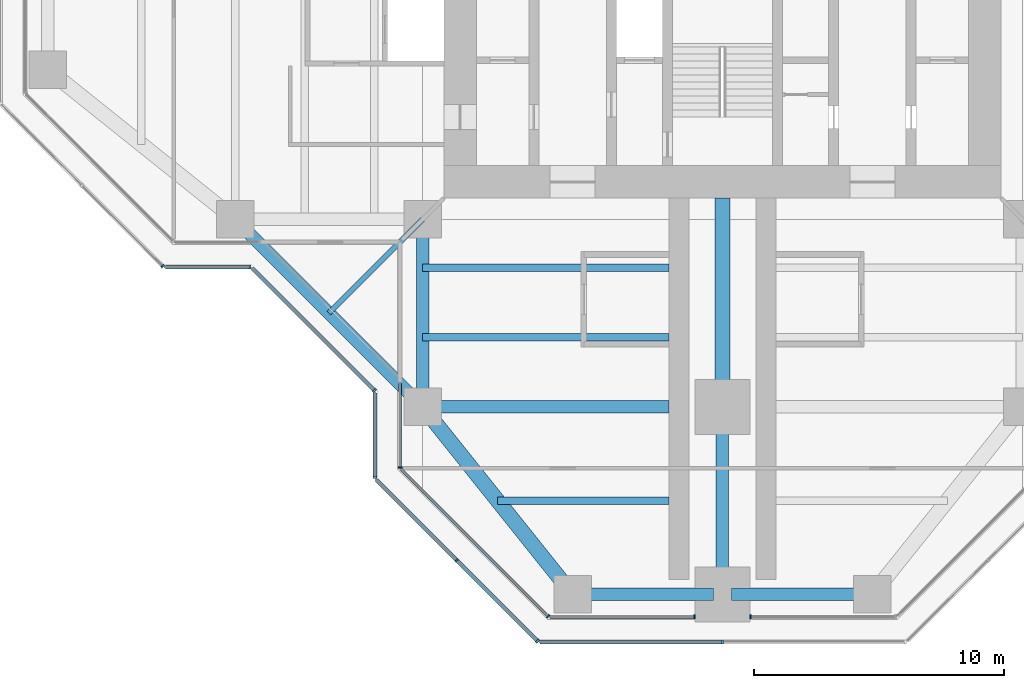
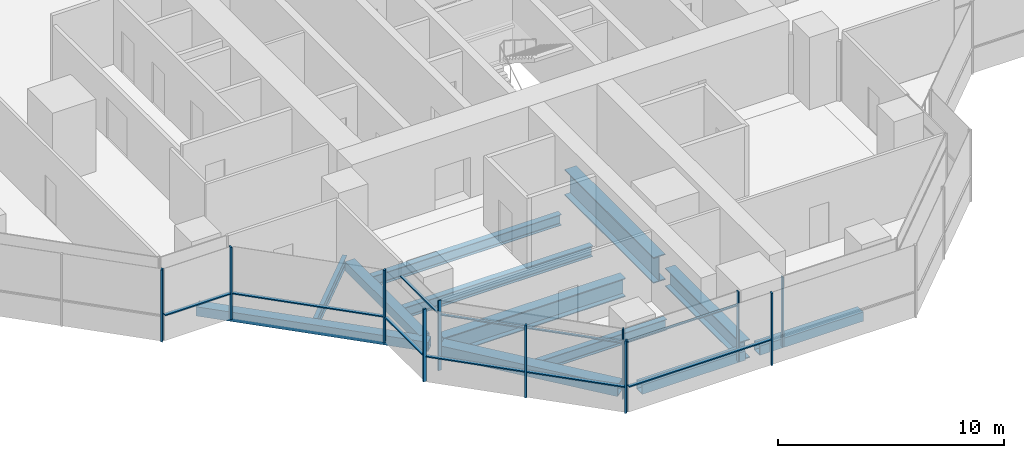
# One storey, part 2 of 17: 20 members, 12 beams, 10 elements without a shape of their own.
"""IFC4 building model written with IfcOpenShell, lengths in metres."""

from ifc_helpers import new_model, si_unit, direction, frame, origin, origin_2d, place, context, subcontext, project, spatial, rectangle, hollow_rectangle, i_section, extrude, material, material_profile, profile_set, type_object, element, aggregate, save


model = new_model("IFC4")

# Units and contexts
model_context = context("Model", 3, precision=1e-05, world=origin(), true_north=direction((0.0, 1.0)))
body_context = subcontext(model_context, "Body", "Model", "MODEL_VIEW")
ifc_project = project(units=[si_unit("LENGTHUNIT", "METRE"), si_unit("AREAUNIT", "SQUARE_METRE"), si_unit("VOLUMEUNIT", "CUBIC_METRE"), si_unit("PLANEANGLEUNIT", "RADIAN"), si_unit("MASSUNIT", "GRAM", prefix="KILO")], contexts=[model_context])

# Site, building, storey
site_placement = place(None, origin())
site = spatial("IfcSite", under=ifc_project, at=site_placement, CompositionType="ELEMENT")
building_placement = place(site_placement, origin())
building = spatial("IfcBuilding", under=site, at=building_placement, Name="Mizan Broadcast Tower", CompositionType="ELEMENT")
storey_placement = place(building_placement, frame((0.0, 0.0, 220.5)))
storey = spatial("IfcBuildingStorey", under=building, at=storey_placement, Name="L51", CompositionType="ELEMENT", Elevation=220.5)

# Beams
ifc_material_1 = material(Name="Steel S355", Category="steel")
ifc_material_profile_1 = material_profile(ifc_material_1, hollow_rectangle(XDim=0.5, YDim=0.5, WallThickness=0.030029296875, at=origin_2d()), Name="BOX 500x500x30")
ifc_profile_set_1 = profile_set([ifc_material_profile_1], Name="Steel S355")
beam_type_1 = type_object("IfcBeamType", Name="EDGE BEAM BOX 500x500x30", PredefinedType="SPANDREL", material=ifc_profile_set_1)
beam_1_placement = place(storey_placement, frame((-12.0, -12.449951171875, -0.3798828125), z_axis=(0.0, -1.0, 0.0), x_axis=(1.0, 0.0, 0.0)))
element("IfcBeam", 1, at=beam_1_placement, inside=storey, type_object=beam_type_1, Name="Edge beam BOX 500x500x30 L51 south arm", PredefinedType="SPANDREL", context=body_context, shape_type="SweptSolid", body=[
    extrude(hollow_rectangle(XDim=0.5, YDim=0.5, WallThickness=0.030029296875, at=origin_2d()), origin(), (0.0, 0.0, 1.0), 6.60009765625),
])
for number, where, z_axis, x_axis, name in (
    (2, (-5.639892578125, -27.0, -0.3798828125), (1.0, 0.0, 0.0), (0.0, 1.0, 0.0), "Edge beam BOX 500x500x30 L51 south arm"),
    (3, (5.639892578125, -27.0, -0.3798828125), (-1.0, 0.0, 0.0), (0.0, -1.0, 0.0), "Edge beam BOX 500x500x30 L51 south arm"),
):
    element("IfcBeam", number, at=place(storey_placement, frame(where, z_axis=z_axis, x_axis=x_axis)), inside=storey, type_object=beam_type_1, Name=name, PredefinedType="SPANDREL", context=body_context, shape_type="SweptSolid", body=[
        extrude(hollow_rectangle(XDim=0.5, YDim=0.5, WallThickness=0.030029296875, at=origin_2d()), origin(), (0.0, 0.0, 1.0), 5.27978515625),
    ])
beam_2_placement = place(storey_placement, frame((-19.5, -12.0, -0.3798828125), z_axis=(0.707106781187, -0.707106781187, 0.0), x_axis=(0.707106781187, 0.707106781187, 0.0)))
element("IfcBeam", 4, at=beam_2_placement, inside=storey, type_object=beam_type_1, Name="Winter garden edge beam L51 W", PredefinedType="SPANDREL", context=body_context, shape_type="SweptSolid", body=[
    extrude(hollow_rectangle(XDim=0.5, YDim=0.5, WallThickness=0.030029296875, at=origin_2d()), origin(), (0.0, 0.0, 1.0), 10.606689453125),
])
ifc_material_2 = material(Name="Steel S355", Category="steel")
ifc_material_profile_2 = material_profile(ifc_material_2, hollow_rectangle(XDim=0.60009765625, YDim=0.60009765625, WallThickness=0.030029296875, at=origin_2d()), Name="BOX 600x600x30")
ifc_profile_set_2 = profile_set([ifc_material_profile_2], Name="Steel S355")
beam_type_2 = type_object("IfcBeamType", Name="EDGE BEAM BOX 600x600x30", PredefinedType="SPANDREL", material=ifc_profile_set_2)
beam_3_placement = place(storey_placement, frame((-11.639892578125, -19.949951171875, -0.429931640625), z_axis=(0.624673911726, -0.780885717636, 0.0), x_axis=(0.780885717636, 0.624673911726, 0.0)))
element("IfcBeam", 5, at=beam_3_placement, inside=storey, type_object=beam_type_2, Name="Edge beam BOX 600x600x30 L51 south arm", PredefinedType="SPANDREL", context=body_context, shape_type="SweptSolid", body=[
    extrude(hollow_rectangle(XDim=0.60009765625, YDim=0.60009765625, WallThickness=0.030029296875, at=origin_2d()), origin(), (0.0, 0.0, 1.0), 8.4521484375),
])
ifc_material_3 = material(Name="Steel S460", Category="steel")
ifc_material_profile_3 = material_profile(ifc_material_3, i_section(OverallWidth=0.5, OverallDepth=1.0, WebThickness=0.02490234375, FlangeThickness=0.050048828125, at=origin_2d()), Name="WPG 1000x500")
ifc_profile_set_3 = profile_set([ifc_material_profile_3], Name="Steel S460")
beam_type_3 = type_object("IfcBeamType", Name="GIRDER WPG 1000x500", PredefinedType="BEAM", material=ifc_profile_set_3)
beam_4_placement = place(storey_placement, frame((0.0, -19.949951171875, -0.6298828125), z_axis=(0.0, -1.0, 0.0), x_axis=(1.0, 0.0, 0.0)))
element("IfcBeam", 6, at=beam_4_placement, inside=storey, type_object=beam_type_3, Name="Girder WPG 1000x500 L51 south arm", PredefinedType="BEAM", context=body_context, shape_type="SweptSolid", body=[
    extrude(i_section(OverallWidth=0.5, OverallDepth=1.0, WebThickness=0.02490234375, FlangeThickness=0.050048828125, at=origin_2d()), origin(), (0.0, 0.0, 1.0), 6.60009765625),
])
beam_5_placement = place(storey_placement, frame((-11.408935546875, -19.5, -0.6298828125), z_axis=(1.0, 0.0, 0.0), x_axis=(0.0, 1.0, 0.0)))
element("IfcBeam", 7, at=beam_5_placement, inside=storey, type_object=beam_type_3, Name="Girder WPG 1000x500 L51 south arm", PredefinedType="BEAM", context=body_context, shape_type="SweptSolid", body=[
    extrude(i_section(OverallWidth=0.5, OverallDepth=1.0, WebThickness=0.02490234375, FlangeThickness=0.050048828125, at=origin_2d()), origin(), (0.0, 0.0, 1.0), 9.259033203125),
])
ifc_material_4 = material(Name="Steel S460", Category="steel")
ifc_material_profile_4 = material_profile(ifc_material_4, i_section(OverallWidth=0.60009765625, OverallDepth=1.39990234375, WebThickness=0.02490234375, FlangeThickness=0.06005859375, at=origin_2d()), Name="WPG 1400x600")
ifc_profile_set_4 = profile_set([ifc_material_profile_4], Name="Steel S460")
beam_type_4 = type_object("IfcBeamType", Name="GIRDER WPG 1400x600", PredefinedType="BEAM", material=ifc_profile_set_4)
beam_6_placement = place(storey_placement, frame((0.0, -11.14990234375, -0.830078125), z_axis=(0.0, -1.0, 0.0), x_axis=(1.0, 0.0, 0.0)))
element("IfcBeam", 8, at=beam_6_placement, inside=storey, type_object=beam_type_4, Name="Girder WPG 1400x600 L51 south arm", PredefinedType="BEAM", context=body_context, shape_type="SweptSolid", body=[
    extrude(i_section(OverallWidth=0.60009765625, OverallDepth=1.39990234375, WebThickness=0.02490234375, FlangeThickness=0.06005859375, at=origin_2d()), origin(), (0.0, 0.0, 1.0), 7.84912109375),
])

# Curtain wall, member
ifc_material_5 = material(Name="Aluminium framed glazing", Category="aluminium")
curtain_wall_type_1 = type_object("IfcCurtainWallType", Name="INNER SKIN HIGH ZONE", PredefinedType="USERDEFINED", material=ifc_material_5)
curtain_wall_1_placement = place(storey_placement, origin())
curtain_wall_1 = element("IfcCurtainWall", 9, at=curtain_wall_1_placement, inside=storey, type_object=curtain_wall_type_1, Name="Inner skin high zone L51 S side", ObjectType="INNER SKIN HIGH ZONE", PredefinedType="USERDEFINED")
ifc_material_6 = material(Name="Aluminium, pale anodised", Category="aluminium")
ifc_material_profile_5 = material_profile(ifc_material_6, rectangle(XDim=0.159912109375, YDim=0.06005859375, at=origin_2d()), Name="MULLION 160x60")
ifc_profile_set_5 = profile_set([ifc_material_profile_5], Name="Aluminium, pale anodised")
member_type_1 = type_object("IfcMemberType", Name="INNER SKIN MULLION 60x160", PredefinedType="MULLION", material=ifc_profile_set_5)
member_1_placement = place(storey_placement, frame((-12.89990234375, -21.928466796875, 0.0), z_axis=(0.0, 0.0, 1.0), x_axis=(1.0, 0.0, 0.0)))
member_1 = element("IfcMember", 10, at=member_1_placement, type_object=member_type_1, Name="Inner skin high zone L51 S side mullion 2", PredefinedType="MULLION", context=body_context, shape_type="SweptSolid", body=[
    extrude(rectangle(XDim=0.159912109375, YDim=0.06005859375, at=origin_2d()), origin(), (0.0, 0.0, 1.0), 3.77001953125),
])

curtain_wall_2_placement = place(storey_placement, origin())
curtain_wall_2 = element("IfcCurtainWall", 11, at=curtain_wall_2_placement, inside=storey, type_object=curtain_wall_type_1, Name="Inner skin high zone L51 S chamfer", ObjectType="INNER SKIN HIGH ZONE", PredefinedType="USERDEFINED")
member_2_placement = place(storey_placement, frame((-6.979736328125, -27.87890625, 0.0), z_axis=(0.0, 0.0, 1.0), x_axis=(0.707106781187, 0.707106781187, 0.0)))
member_2 = element("IfcMember", 12, at=member_2_placement, type_object=member_type_1, Name="Inner skin high zone L51 S chamfer mullion 2", PredefinedType="MULLION", context=body_context, shape_type="SweptSolid", body=[
    extrude(rectangle(XDim=0.159912109375, YDim=0.06005859375, at=origin_2d()), origin(), (0.0, 0.0, 1.0), 3.77001953125),
])

curtain_wall_3_placement = place(storey_placement, origin())
curtain_wall_3 = element("IfcCurtainWall", 13, at=curtain_wall_3_placement, inside=storey, type_object=curtain_wall_type_1, Name="Inner skin high zone L51 S end", ObjectType="INNER SKIN HIGH ZONE", PredefinedType="USERDEFINED")
member_3_placement = place(storey_placement, frame((-1.1298828125, -27.89990234375, 0.0), z_axis=(0.0, 0.0, 1.0), x_axis=(0.0, 1.0, 0.0)))
member_3 = element("IfcMember", 14, at=member_3_placement, type_object=member_type_1, Name="Inner skin high zone L51 S end mullion 2", PredefinedType="MULLION", context=body_context, shape_type="SweptSolid", body=[
    extrude(rectangle(XDim=0.159912109375, YDim=0.06005859375, at=origin_2d()), origin(), (0.0, 0.0, 1.0), 3.77001953125),
])

curtain_wall_4_placement = place(storey_placement, origin())
curtain_wall_4 = element("IfcCurtainWall", 15, at=curtain_wall_4_placement, inside=storey, type_object=curtain_wall_type_1, Name="Inner skin high zone L51 S end", ObjectType="INNER SKIN HIGH ZONE", PredefinedType="USERDEFINED")
member_4_placement = place(storey_placement, frame((1.1298828125, -27.89990234375, 0.0), z_axis=(0.0, 0.0, 1.0), x_axis=(0.0, 1.0, 0.0)))
member_4 = element("IfcMember", 16, at=member_4_placement, type_object=member_type_1, Name="Inner skin high zone L51 S end mullion 1", PredefinedType="MULLION", context=body_context, shape_type="SweptSolid", body=[
    extrude(rectangle(XDim=0.159912109375, YDim=0.06005859375, at=origin_2d()), origin(), (0.0, 0.0, 1.0), 3.77001953125),
])
aggregate(curtain_wall_4, [member_4])

# Member
ifc_material_7 = material(Name="Aluminium, pale anodised", Category="aluminium")
ifc_material_profile_6 = material_profile(ifc_material_7, rectangle(XDim=0.1201171875, YDim=0.06005859375, at=origin_2d()), Name="TRANSOM 120x60")
ifc_profile_set_6 = profile_set([ifc_material_profile_6], Name="Aluminium, pale anodised")
member_type_2 = type_object("IfcMemberType", Name="INNER SKIN TRANSOM 60x120", PredefinedType="USERDEFINED", material=ifc_profile_set_6)
member_5_placement = place(storey_placement, frame((-12.89990234375, -18.56005859375, 3.030029296875), z_axis=(0.0, -1.0, 0.0), x_axis=(1.0, 0.0, 0.0)))
member_5 = element("IfcMember", 17, at=member_5_placement, type_object=member_type_2, Name="Inner skin high zone L51 S side transom 1.1", ObjectType="TRANSOM", PredefinedType="USERDEFINED", context=body_context, shape_type="SweptSolid", body=[
    extrude(rectangle(XDim=0.1201171875, YDim=0.06005859375, at=origin_2d()), origin(), (0.0, 0.0, 1.0), 3.338623046875),
])

aggregate(curtain_wall_1, [member_1, member_5])

member_6_placement = place(storey_placement, frame((-12.857666015625, -22.0009765625, 3.030029296875), z_axis=(0.707106781187, -0.707106781187, 0.0), x_axis=(0.707106781187, 0.707106781187, 0.0)))
member_6 = element("IfcMember", 18, at=member_6_placement, type_object=member_type_2, Name="Inner skin high zone L51 S chamfer transom 1.1", ObjectType="TRANSOM", PredefinedType="USERDEFINED", context=body_context, shape_type="SweptSolid", body=[
    extrude(rectangle(XDim=0.1201171875, YDim=0.06005859375, at=origin_2d()), origin(), (0.0, 0.0, 1.0), 8.28271484375),
])

aggregate(curtain_wall_2, [member_2, member_6])

member_7_placement = place(storey_placement, frame((-6.898681640625, -27.89990234375, 3.030029296875), z_axis=(1.0, 0.0, 0.0), x_axis=(0.0, 1.0, 0.0)))
member_7 = element("IfcMember", 19, at=member_7_placement, type_object=member_type_2, Name="Inner skin high zone L51 S end transom 1.1", ObjectType="TRANSOM", PredefinedType="USERDEFINED", context=body_context, shape_type="SweptSolid", body=[
    extrude(rectangle(XDim=0.1201171875, YDim=0.06005859375, at=origin_2d()), origin(), (0.0, 0.0, 1.0), 5.73876953125),
])

aggregate(curtain_wall_3, [member_3, member_7])

# Curtain wall, member
ifc_material_8 = material(Name="Aluminium framed glazing", Category="aluminium")
curtain_wall_type_2 = type_object("IfcCurtainWallType", Name="OUTER SKIN", PredefinedType="USERDEFINED", material=ifc_material_8)
curtain_wall_5_placement = place(storey_placement, origin())
curtain_wall_5 = element("IfcCurtainWall", 20, at=curtain_wall_5_placement, inside=storey, type_object=curtain_wall_type_2, Name="Outer skin L51 W chamfer", ObjectType="OUTER SKIN", PredefinedType="USERDEFINED")
ifc_material_9 = material(Name="Aluminium, pale anodised", Category="aluminium")
ifc_material_profile_7 = material_profile(ifc_material_9, rectangle(XDim=0.159912109375, YDim=0.080078125, at=origin_2d()), Name="MULLION 160x80")
ifc_profile_set_7 = profile_set([ifc_material_profile_7], Name="Aluminium, pale anodised")
member_type_3 = type_object("IfcMemberType", Name="OUTER SKIN MULLION 80x160", PredefinedType="MULLION", material=ifc_profile_set_7)
member_8_placement = place(storey_placement, frame((-22.401123046875, -13.871826171875, 0.0), z_axis=(0.0, 0.0, 1.0), x_axis=(0.707106781187, 0.707106781187, 0.0)))
member_8 = element("IfcMember", 21, at=member_8_placement, type_object=member_type_3, Name="Outer skin L51 W chamfer mullion 3", PredefinedType="MULLION", context=body_context, shape_type="SweptSolid", body=[
    extrude(rectangle(XDim=0.159912109375, YDim=0.080078125, at=origin_2d()), origin(), (0.0, 0.0, 1.0), 3.89990234375),
])
aggregate(curtain_wall_5, [member_8])

curtain_wall_6_placement = place(storey_placement, origin())
curtain_wall_6 = element("IfcCurtainWall", 22, at=curtain_wall_6_placement, inside=storey, type_object=curtain_wall_type_2, Name="Outer skin L51 W side", ObjectType="OUTER SKIN", PredefinedType="USERDEFINED")
member_9_placement = place(storey_placement, frame((-18.912841796875, -13.89990234375, 0.0), z_axis=(0.0, 0.0, 1.0), x_axis=(0.0, 1.0, 0.0)))
member_9 = element("IfcMember", 23, at=member_9_placement, type_object=member_type_3, Name="Outer skin L51 W side mullion 2", PredefinedType="MULLION", context=body_context, shape_type="SweptSolid", body=[
    extrude(rectangle(XDim=0.159912109375, YDim=0.080078125, at=origin_2d()), origin(), (0.0, 0.0, 1.0), 3.89990234375),
])

curtain_wall_7_placement = place(storey_placement, origin())
curtain_wall_7 = element("IfcCurtainWall", 24, at=curtain_wall_7_placement, inside=storey, type_object=curtain_wall_type_2, Name="Outer skin L51 W chamfer", ObjectType="OUTER SKIN", PredefinedType="USERDEFINED")
member_10_placement = place(storey_placement, frame((-13.92822265625, -18.844482421875, 0.0), z_axis=(0.0, 0.0, 1.0), x_axis=(0.707106781187, 0.707106781187, 0.0)))
member_10 = element("IfcMember", 25, at=member_10_placement, type_object=member_type_3, Name="Outer skin L51 W chamfer mullion 2", PredefinedType="MULLION", context=body_context, shape_type="SweptSolid", body=[
    extrude(rectangle(XDim=0.159912109375, YDim=0.080078125, at=origin_2d()), origin(), (0.0, 0.0, 1.0), 3.89990234375),
])

curtain_wall_8_placement = place(storey_placement, origin())
curtain_wall_8 = element("IfcCurtainWall", 26, at=curtain_wall_8_placement, inside=storey, type_object=curtain_wall_type_2, Name="Outer skin L51 S side", ObjectType="OUTER SKIN", PredefinedType="USERDEFINED")
member_11_placement = place(storey_placement, frame((-13.89990234375, -22.332763671875, 0.0), z_axis=(0.0, 0.0, 1.0), x_axis=(1.0, 0.0, 0.0)))
member_11 = element("IfcMember", 27, at=member_11_placement, type_object=member_type_3, Name="Outer skin L51 S side mullion 2", PredefinedType="MULLION", context=body_context, shape_type="SweptSolid", body=[
    extrude(rectangle(XDim=0.159912109375, YDim=0.080078125, at=origin_2d()), origin(), (0.0, 0.0, 1.0), 3.89990234375),
])

# Curtain wall, members
curtain_wall_9_placement = place(storey_placement, origin())
curtain_wall_9 = element("IfcCurtainWall", 28, at=curtain_wall_9_placement, inside=storey, type_object=curtain_wall_type_2, Name="Outer skin L51 S chamfer", ObjectType="OUTER SKIN", PredefinedType="USERDEFINED")
member_12_placement = place(storey_placement, frame((-10.636474609375, -25.636474609375, 0.0), z_axis=(0.0, 0.0, 1.0), x_axis=(0.707106781187, 0.707106781187, 0.0)))
member_12 = element("IfcMember", 29, at=member_12_placement, type_object=member_type_3, Name="Outer skin L51 S chamfer mullion 2", PredefinedType="MULLION", context=body_context, shape_type="SweptSolid", body=[
    extrude(rectangle(XDim=0.159912109375, YDim=0.080078125, at=origin_2d()), origin(), (0.0, 0.0, 1.0), 3.89990234375),
])
member_13_placement = place(storey_placement, frame((-7.401123046875, -28.871826171875, 0.0), z_axis=(0.0, 0.0, 1.0), x_axis=(0.707106781187, 0.707106781187, 0.0)))
member_13 = element("IfcMember", 30, at=member_13_placement, type_object=member_type_3, Name="Outer skin L51 S chamfer mullion 3", PredefinedType="MULLION", context=body_context, shape_type="SweptSolid", body=[
    extrude(rectangle(XDim=0.159912109375, YDim=0.080078125, at=origin_2d()), origin(), (0.0, 0.0, 1.0), 3.89990234375),
])

# Curtain wall, member
curtain_wall_10_placement = place(storey_placement, origin())
curtain_wall_10 = element("IfcCurtainWall", 31, at=curtain_wall_10_placement, inside=storey, type_object=curtain_wall_type_2, Name="Outer skin L51 S end", ObjectType="OUTER SKIN", PredefinedType="USERDEFINED")
member_14_placement = place(storey_placement, frame((0.0, -28.89990234375, 0.0), z_axis=(0.0, 0.0, 1.0), x_axis=(0.0, 1.0, 0.0)))
member_14 = element("IfcMember", 32, at=member_14_placement, type_object=member_type_3, Name="Outer skin L51 S end mullion 2", PredefinedType="MULLION", context=body_context, shape_type="SweptSolid", body=[
    extrude(rectangle(XDim=0.159912109375, YDim=0.080078125, at=origin_2d()), origin(), (0.0, 0.0, 1.0), 3.89990234375),
])

# Member
ifc_material_10 = material(Name="Aluminium, pale anodised", Category="aluminium")
ifc_material_profile_8 = material_profile(ifc_material_10, rectangle(XDim=0.159912109375, YDim=0.06005859375, at=origin_2d()), Name="TRANSOM 160x60")
ifc_profile_set_8 = profile_set([ifc_material_profile_8], Name="Aluminium, pale anodised")
member_type_4 = type_object("IfcMemberType", Name="OUTER SKIN TRANSOM 60x160", PredefinedType="USERDEFINED", material=ifc_profile_set_8)
member_15_placement = place(storey_placement, frame((-22.292724609375, -13.89990234375, 1.39990234375), z_axis=(1.0, 0.0, 0.0), x_axis=(0.0, 1.0, 0.0)))
member_15 = element("IfcMember", 33, at=member_15_placement, type_object=member_type_4, Name="Outer skin L51 W side transom 1.1", ObjectType="TRANSOM", PredefinedType="USERDEFINED", context=body_context, shape_type="SweptSolid", body=[
    extrude(rectangle(XDim=0.159912109375, YDim=0.06005859375, at=origin_2d()), origin(), (0.0, 0.0, 1.0), 3.33984375),
])

aggregate(curtain_wall_6, [member_9, member_15])

member_16_placement = place(storey_placement, frame((-18.816162109375, -13.95654296875, 1.39990234375), z_axis=(0.707106781187, -0.707106781187, 0.0), x_axis=(0.707106781187, 0.707106781187, 0.0)))
member_16 = element("IfcMember", 34, at=member_16_placement, type_object=member_type_4, Name="Outer skin L51 W chamfer transom 1.1", ObjectType="TRANSOM", PredefinedType="USERDEFINED", context=body_context, shape_type="SweptSolid", body=[
    extrude(rectangle(XDim=0.159912109375, YDim=0.06005859375, at=origin_2d()), origin(), (0.0, 0.0, 1.0), 6.87255859375),
])

aggregate(curtain_wall_7, [member_10, member_16])

member_17_placement = place(storey_placement, frame((-13.89990234375, -18.952880859375, 1.39990234375), z_axis=(0.0, -1.0, 0.0), x_axis=(1.0, 0.0, 0.0)))
member_17 = element("IfcMember", 35, at=member_17_placement, type_object=member_type_4, Name="Outer skin L51 S side transom 1.1", ObjectType="TRANSOM", PredefinedType="USERDEFINED", context=body_context, shape_type="SweptSolid", body=[
    extrude(rectangle(XDim=0.159912109375, YDim=0.06005859375, at=origin_2d()), origin(), (0.0, 0.0, 1.0), 3.33984375),
])

aggregate(curtain_wall_8, [member_11, member_17])

member_18_placement = place(storey_placement, frame((-13.843505859375, -22.429443359375, 1.39990234375), z_axis=(0.707106781187, -0.707106781187, 0.0), x_axis=(0.707106781187, 0.707106781187, 0.0)))
member_18 = element("IfcMember", 36, at=member_18_placement, type_object=member_type_4, Name="Outer skin L51 S chamfer transom 1.1", ObjectType="TRANSOM", PredefinedType="USERDEFINED", context=body_context, shape_type="SweptSolid", body=[
    extrude(rectangle(XDim=0.159912109375, YDim=0.06005859375, at=origin_2d()), origin(), (0.0, 0.0, 1.0), 4.495361328125),
])

member_19_placement = place(storey_placement, frame((-10.608154296875, -25.664794921875, 1.39990234375), z_axis=(0.707106781187, -0.707106781187, 0.0), x_axis=(0.707106781187, 0.707106781187, 0.0)))
member_19 = element("IfcMember", 37, at=member_19_placement, type_object=member_type_4, Name="Outer skin L51 S chamfer transom 2.1", ObjectType="TRANSOM", PredefinedType="USERDEFINED", context=body_context, shape_type="SweptSolid", body=[
    extrude(rectangle(XDim=0.159912109375, YDim=0.06005859375, at=origin_2d()), origin(), (0.0, 0.0, 1.0), 4.495361328125),
])

aggregate(curtain_wall_9, [member_12, member_13, member_18, member_19])

member_20_placement = place(storey_placement, frame((-7.292724609375, -28.89990234375, 1.39990234375), z_axis=(1.0, 0.0, 0.0), x_axis=(0.0, 1.0, 0.0)))
member_20 = element("IfcMember", 38, at=member_20_placement, type_object=member_type_4, Name="Outer skin L51 S end transom 1.1", ObjectType="TRANSOM", PredefinedType="USERDEFINED", context=body_context, shape_type="SweptSolid", body=[
    extrude(rectangle(XDim=0.159912109375, YDim=0.06005859375, at=origin_2d()), origin(), (0.0, 0.0, 1.0), 7.252685546875),
])

aggregate(curtain_wall_10, [member_14, member_20])

# Beams
ifc_material_11 = material(Name="Steel S355", Category="steel")
ifc_material_profile_9 = material_profile(ifc_material_11, i_section(OverallWidth=0.300048828125, OverallDepth=0.590087890625, WebThickness=0.012939453125, FlangeThickness=0.02490234375, FilletRadius=0.027099609375, at=origin_2d()), Name="HEA 600")
ifc_profile_set_9 = profile_set([ifc_material_profile_9], Name="Steel S355")
beam_type_5 = type_object("IfcBeamType", Name="SECONDARY BEAM HEA 600", PredefinedType="JOIST", material=ifc_profile_set_9)
for number, where, z_axis, x_axis, name in (
    (39, (-12.0, -13.933349609375, -0.425048828125), (1.0, 0.0, 0.0), (0.0, 1.0, 0.0), "Secondary beam HEA 600 L51 south arm"),
    (40, (-12.0, -16.716552734375, -0.425048828125), (1.0, 0.0, 0.0), (0.0, 1.0, 0.0), "Secondary beam HEA 600 L51 south arm"),
):
    element("IfcBeam", number, at=place(storey_placement, frame(where, z_axis=z_axis, x_axis=x_axis)), inside=storey, type_object=beam_type_5, Name=name, PredefinedType="JOIST", context=body_context, shape_type="SweptSolid", body=[
        extrude(i_section(OverallWidth=0.300048828125, OverallDepth=0.590087890625, WebThickness=0.012939453125, FlangeThickness=0.02490234375, FilletRadius=0.027099609375, at=origin_2d()), origin(), (0.0, 0.0, 1.0), 9.85009765625),
    ])
beam_7_placement = place(storey_placement, frame((-9.0, -23.25, -0.425048828125), z_axis=(1.0, 0.0, 0.0), x_axis=(0.0, 1.0, 0.0)))
element("IfcBeam", 41, at=beam_7_placement, inside=storey, type_object=beam_type_5, Name="Secondary beam HEA 600 L51 south arm", PredefinedType="JOIST", context=body_context, shape_type="SweptSolid", body=[
    extrude(i_section(OverallWidth=0.300048828125, OverallDepth=0.590087890625, WebThickness=0.012939453125, FlangeThickness=0.02490234375, FilletRadius=0.027099609375, at=origin_2d()), origin(), (0.0, 0.0, 1.0), 6.85009765625),
])
ifc_material_12 = material(Name="Steel S355", Category="steel")
ifc_material_profile_10 = material_profile(ifc_material_12, i_section(OverallWidth=0.2099609375, OverallDepth=0.550048828125, WebThickness=0.010986328125, FlangeThickness=0.01708984375, FilletRadius=0.02392578125, at=origin_2d()), Name="IPE 550")
ifc_profile_set_10 = profile_set([ifc_material_profile_10], Name="Steel S355")
beam_type_6 = type_object("IfcBeamType", Name="SECONDARY BEAM IPE 550", PredefinedType="JOIST", material=ifc_profile_set_10)
beam_8_placement = place(storey_placement, frame((-12.0, -12.0, -0.405029296875), z_axis=(-0.707106781187, -0.707106781187, 0.0), x_axis=(0.707106781187, -0.707106781187, 0.0)))
element("IfcBeam", 42, at=beam_8_placement, inside=storey, type_object=beam_type_6, Name="Winter garden beam L51 W", PredefinedType="JOIST", context=body_context, shape_type="SweptSolid", body=[
    extrude(i_section(OverallWidth=0.2099609375, OverallDepth=0.550048828125, WebThickness=0.010986328125, FlangeThickness=0.01708984375, FilletRadius=0.02392578125, at=origin_2d()), origin(), (0.0, 0.0, 1.0), 5.30322265625),
])

save(model, "model.ifc")
